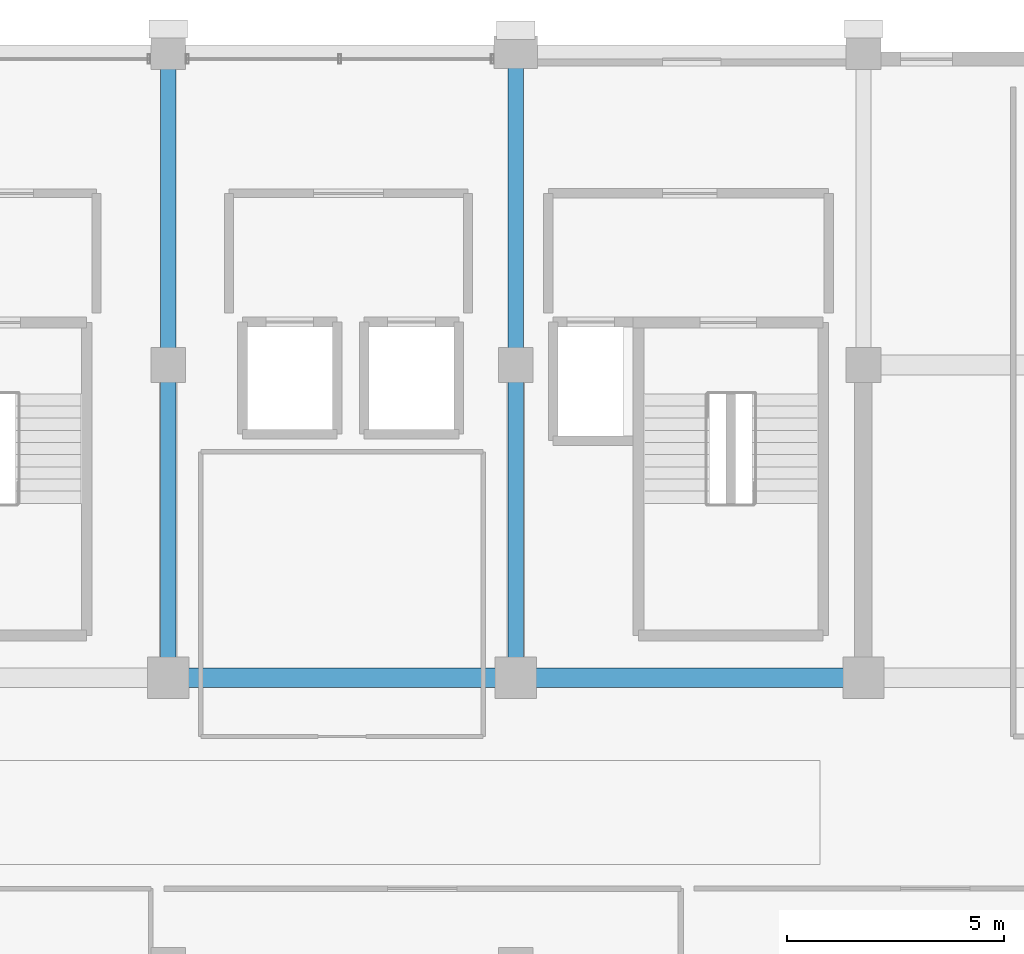
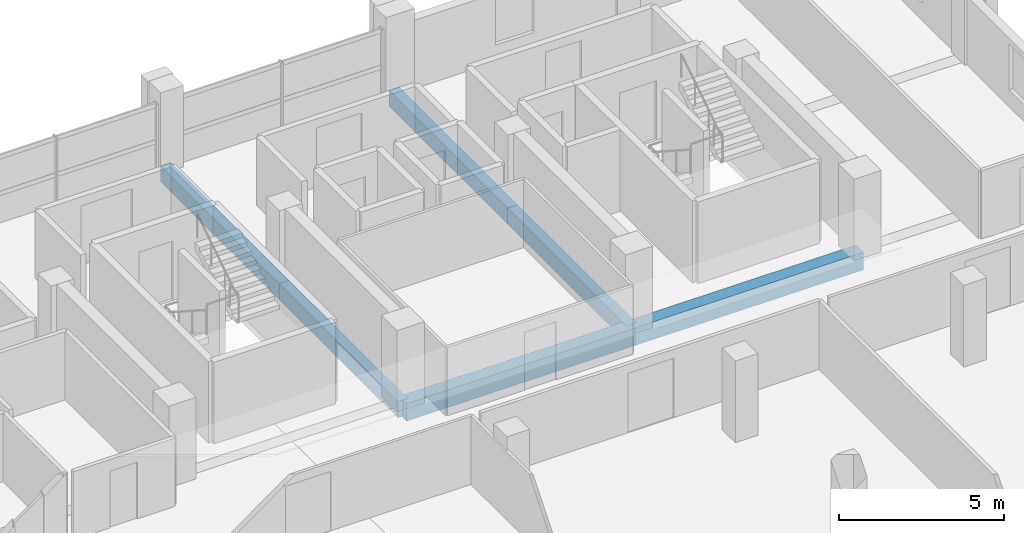
# One storey, part 15 of 23: 6 beams.
"""IFC4 building model written with IfcOpenShell, lengths in metres."""

from ifc_helpers import new_model, si_unit, direction, frame, origin, origin_2d, place, context, subcontext, project, spatial, rectangle, extrude, material, material_profile, profile_set, type_object, element, save


model = new_model("IFC4")

# Units and contexts
model_context = context("Model", 3, precision=1e-05, world=origin(), true_north=direction((0.0, 1.0)))
body_context = subcontext(model_context, "Body", "Model", "MODEL_VIEW")
ifc_project = project(units=[si_unit("LENGTHUNIT", "METRE"), si_unit("AREAUNIT", "SQUARE_METRE"), si_unit("VOLUMEUNIT", "CUBIC_METRE"), si_unit("PLANEANGLEUNIT", "RADIAN"), si_unit("MASSUNIT", "GRAM", prefix="KILO")], contexts=[model_context])

# Site, building, storey
site_placement = place(None, origin())
site = spatial("IfcSite", under=ifc_project, at=site_placement, CompositionType="ELEMENT")
building_placement = place(site_placement, origin())
building = spatial("IfcBuilding", under=site, at=building_placement, Name="Akrevak Sports Hall", CompositionType="ELEMENT")
storey_placement = place(building_placement, frame((0.0, 0.0, 43.800048828125)))
storey = spatial("IfcBuildingStorey", under=building, at=storey_placement, Name="L10", CompositionType="ELEMENT", Elevation=43.800048828125)

# Beams
ifc_material = material(Name="Concrete C40/50", Category="concrete")
ifc_material_profile_1 = material_profile(ifc_material, rectangle(XDim=0.35009765625, YDim=0.60009765625, at=origin_2d()), Name="BM 350x600", Category="concrete")
ifc_profile_set_1 = profile_set([ifc_material_profile_1], Name="Concrete C40/50")
beam_type_1 = type_object("IfcBeamType", Name="STR-BM-RC350x600", PredefinedType="BEAM", material=ifc_profile_set_1)
beam_1_placement = place(storey_placement, frame((84.0, 55.199951171875, -0.300048828125), z_axis=(0.0, 1.0, 0.0), x_axis=(-1.0, 0.0, 0.0)))
element("IfcBeam", 1, at=beam_1_placement, inside=storey, type_object=beam_type_1, Name="Girder 12/I-J (L10)", PredefinedType="BEAM", context=body_context, shape_type="SweptSolid", body=[
    extrude(rectangle(XDim=0.35009765625, YDim=0.60009765625, at=origin_2d()), origin(), (0.0, 0.0, 1.0), 7.199951171875),
])
beam_2_placement = place(storey_placement, frame((84.0, 62.39990234375, -0.300048828125), z_axis=(0.0, 1.0, 0.0), x_axis=(-1.0, 0.0, 0.0)))
element("IfcBeam", 2, at=beam_2_placement, inside=storey, type_object=beam_type_1, Name="Girder 12/J-K (L10)", PredefinedType="BEAM", context=body_context, shape_type="SweptSolid", body=[
    extrude(rectangle(XDim=0.35009765625, YDim=0.60009765625, at=origin_2d()), origin(), (0.0, 0.0, 1.0), 7.2001953125),
])
beam_3_placement = place(storey_placement, frame((92.0, 55.199951171875, -0.300048828125), z_axis=(0.0, 1.0, 0.0), x_axis=(-1.0, 0.0, 0.0)))
element("IfcBeam", 3, at=beam_3_placement, inside=storey, type_object=beam_type_1, Name="Girder 13/I-J (L10)", PredefinedType="BEAM", context=body_context, shape_type="SweptSolid", body=[
    extrude(rectangle(XDim=0.35009765625, YDim=0.60009765625, at=origin_2d()), origin(), (0.0, 0.0, 1.0), 7.199951171875),
])
beam_4_placement = place(storey_placement, frame((92.0, 62.39990234375, -0.300048828125), z_axis=(0.0, 1.0, 0.0), x_axis=(-1.0, 0.0, 0.0)))
element("IfcBeam", 4, at=beam_4_placement, inside=storey, type_object=beam_type_1, Name="Girder 13/J-K (L10)", PredefinedType="BEAM", context=body_context, shape_type="SweptSolid", body=[
    extrude(rectangle(XDim=0.35009765625, YDim=0.60009765625, at=origin_2d()), origin(), (0.0, 0.0, 1.0), 7.2001953125),
])
ifc_material_profile_2 = material_profile(ifc_material, rectangle(XDim=0.449951171875, YDim=0.64990234375, at=origin_2d()), Name="BM 450x650", Category="concrete")
ifc_profile_set_2 = profile_set([ifc_material_profile_2], Name="Concrete C40/50")
beam_type_2 = type_object("IfcBeamType", Name="STR-BM-RC450x650", PredefinedType="BEAM", material=ifc_profile_set_2)
for number, where, z_axis, x_axis, name in (
    (5, (84.0, 55.199951171875, -0.324951171875), (1.0, 0.0, 0.0), (0.0, 1.0, 0.0), "Girder I/12-13 (L10)"),
    (6, (92.0, 55.199951171875, -0.324951171875), (1.0, 0.0, 0.0), (0.0, 1.0, 0.0), "Girder I/13-14 (L10)"),
):
    element("IfcBeam", number, at=place(storey_placement, frame(where, z_axis=z_axis, x_axis=x_axis)), inside=storey, type_object=beam_type_2, Name=name, PredefinedType="BEAM", context=body_context, shape_type="SweptSolid", body=[
        extrude(rectangle(XDim=0.449951171875, YDim=0.64990234375, at=origin_2d()), origin(), (0.0, 0.0, 1.0), 8.0),
    ])

save(model, "model.ifc")
